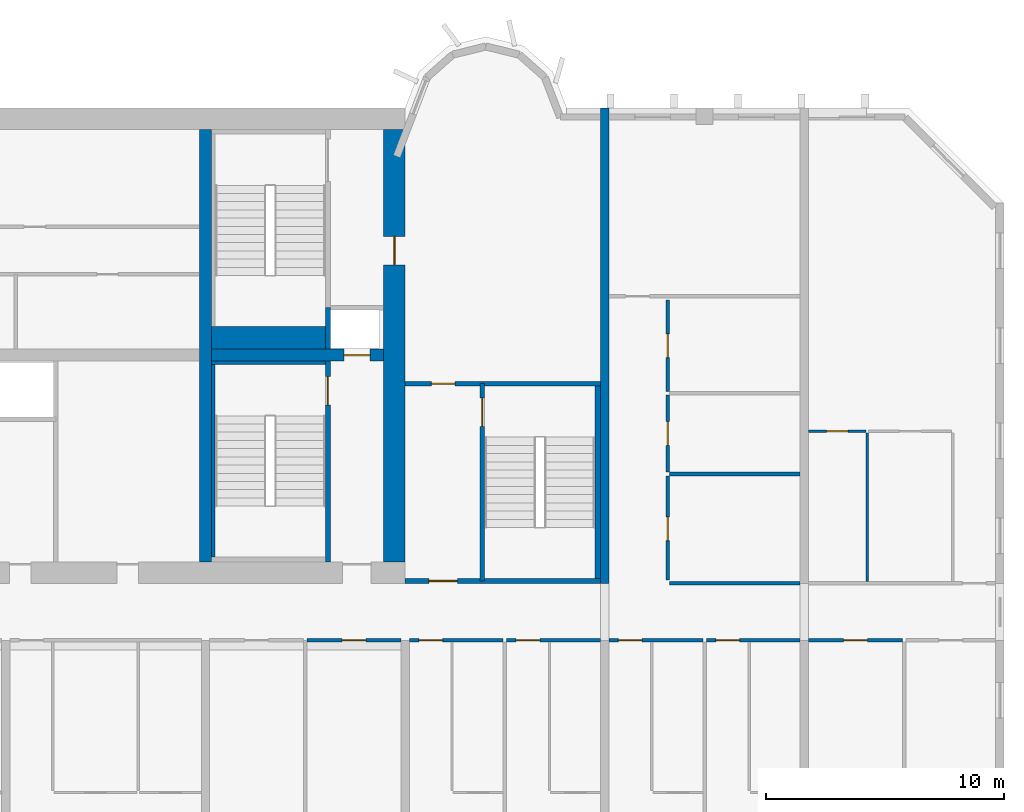
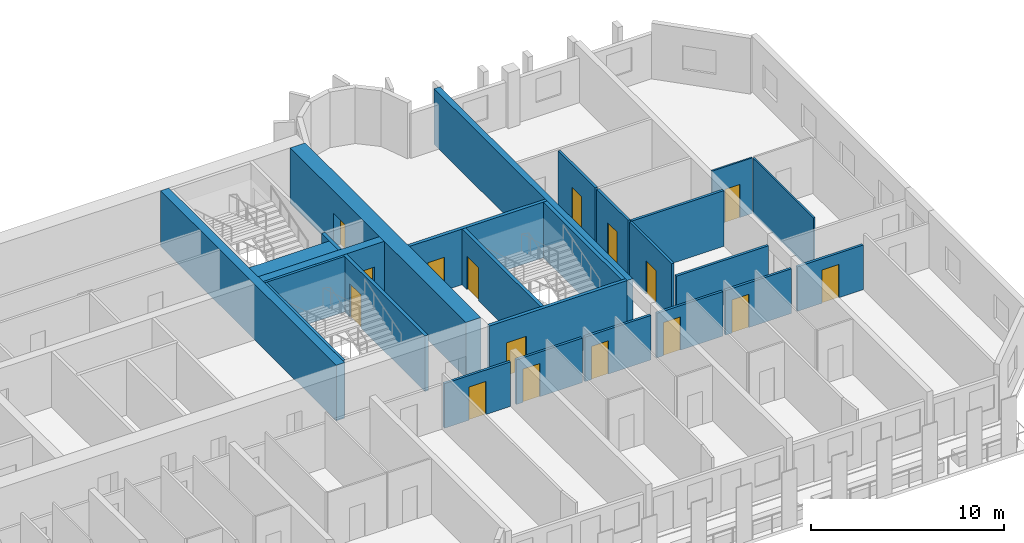
# One storey, part 9 of 14: 26 walls, 16 doors, 16 openings.
"""IFC4 building model written with IfcOpenShell, lengths in metres."""

from ifc_helpers import new_model, si_unit, direction, frame, frame_2d, origin, place, context, subcontext, project, spatial, rectangle, extrude, source, transform, mapped, material, layer, layer_set, type_object, element, fill, save


model = new_model("IFC4")

# Units and contexts
model_context = context("Model", 3, precision=1e-05, world=origin(), true_north=direction((0.0, 1.0)))
body_context = subcontext(model_context, "Body", "Model", "MODEL_VIEW")
ifc_project = project(units=[si_unit("LENGTHUNIT", "METRE"), si_unit("AREAUNIT", "SQUARE_METRE"), si_unit("VOLUMEUNIT", "CUBIC_METRE"), si_unit("PLANEANGLEUNIT", "RADIAN"), si_unit("MASSUNIT", "GRAM", prefix="KILO")], contexts=[model_context])

# Site, building, storey
site_placement = place(None, origin())
site = spatial("IfcSite", under=ifc_project, at=site_placement, CompositionType="ELEMENT")
building_placement = place(site_placement, origin())
building = spatial("IfcBuilding", under=site, at=building_placement, Name="Vanashikhar Sky Hotel", CompositionType="ELEMENT")
storey_placement = place(building_placement, frame((0.0, 0.0, 125.60009765625)))
storey = spatial("IfcBuildingStorey", under=building, at=storey_placement, Name="L30", CompositionType="ELEMENT", Elevation=125.60009765625)

# Wall, opening, door
ifc_material_1 = material(Name="Concrete M70", Category="concrete")
ifc_layer_1 = layer(ifc_material_1, 0.89990234375)
ifc_layer_set_1 = layer_set([ifc_layer_1], Name="RC core shell wall 900 Concrete M70")
wall_type_1 = type_object("IfcWallType", Name="RC core shell wall 900 Concrete M70", PredefinedType="SHEAR", material=ifc_layer_set_1)
shared_shape_1 = source(origin(), body_context, "Body", "SweptSolid", [
    extrude(rectangle(XDim=18.2001953125, YDim=0.89990234375, at=frame_2d((9.10009765625, 0.0))), origin(), (0.0, 0.0, 1.0), 3.52001953125),
])
wall_1_placement = place(storey_placement, frame((75.14990234375, 22.89990234375, 0.0), z_axis=(0.0, 0.0, 1.0), x_axis=(0.0, 1.0, 0.0)))
wall_1 = element("IfcWall", 1, at=wall_1_placement, inside=storey, type_object=wall_type_1, Name="KW-L30-KE", PredefinedType="SHEAR", context=body_context, shape_type="MappedRepresentation", body=[
    mapped(shared_shape_1, transform((0.0, 0.0, 0.0), scale=1.0)),
])
shared_shape_2 = source(origin(), body_context, "Body", "SweptSolid", [
    extrude(rectangle(XDim=1.199951171875, YDim=2.10009765625, at=frame_2d((0.60009765625, 1.050048828125))), frame((0.0, 0.4599609375, 0.0), z_axis=(0.0, -1.0, 0.0), x_axis=(1.0, 0.0, 0.0)), (0.0, 0.0, 1.0), 0.919921875),
])
opening_1_placement = place(wall_1_placement, frame((12.5, 0.0, 0.0)))
opening_1 = element("IfcOpeningElement", 2, at=opening_1_placement, cuts=wall_1, Name="Opening DC-4-D", PredefinedType="OPENING", context=body_context, shape_type="MappedRepresentation", body=[
    mapped(shared_shape_2, transform((0.0, 0.0, 0.0), scale=1.0)),
])
ifc_material_2 = material(Name="Steel", Category="steel")
door_type_1 = type_object("IfcDoorType", Name="Service door 1200 FD120", OperationType="NOTDEFINED", PredefinedType="DOOR", material=ifc_material_2)
shared_shape_3 = source(origin(), body_context, "Body", "SweptSolid", [
    extrude(rectangle(XDim=1.199951171875, YDim=2.10009765625, at=frame_2d((0.60009765625, 1.050048828125))), frame((0.0, 0.02490234375, 0.0), z_axis=(0.0, -1.0, 0.0), x_axis=(1.0, 0.0, 0.0)), (0.0, 0.0, 1.0), 0.050048828125),
])
door_1_placement = place(opening_1_placement, origin())
door_1 = element("IfcDoor", 3, at=door_1_placement, inside=storey, type_object=door_type_1, Name="Service door 1200 FD120", OperationType="SINGLE_SWING_LEFT", OverallHeight=2.10009765625, OverallWidth=1.199951171875, PredefinedType="DOOR", context=body_context, shape_type="MappedRepresentation", body=[
    mapped(shared_shape_3, transform((0.0, 0.0, 0.0), scale=1.0)),
])
fill(opening_1, door_1)

# Wall
ifc_layer_2 = layer(ifc_material_1, 0.5)
ifc_layer_set_2 = layer_set([ifc_layer_2], Name="RC core inner wall 500 Concrete M70")
wall_type_2 = type_object("IfcWallType", Name="RC core inner wall 500 Concrete M70", PredefinedType="SHEAR", material=ifc_layer_set_2)
shared_shape_4 = source(origin(), body_context, "Body", "SweptSolid", [
    extrude(rectangle(XDim=18.2001953125, YDim=0.5, at=frame_2d((9.10009765625, 0.0))), origin(), (0.0, 0.0, 1.0), 3.52001953125),
])
wall_2_placement = place(storey_placement, frame((67.199951171875, 22.89990234375, 0.0), z_axis=(0.0, 0.0, 1.0), x_axis=(0.0, 1.0, 0.0)))
element("IfcWall", 4, at=wall_2_placement, inside=storey, type_object=wall_type_2, Name="KW-L30-KX3", PredefinedType="SHEAR", context=body_context, shape_type="MappedRepresentation", body=[
    mapped(shared_shape_4, transform((0.0, 0.0, 0.0), scale=1.0)),
])

# Wall, opening, door
shared_shape_5 = source(origin(), body_context, "Body", "SweptSolid", [
    extrude(rectangle(XDim=7.25, YDim=0.5, at=frame_2d((3.625, 0.0))), origin(), (0.0, 0.0, 1.0), 3.52001953125),
])
wall_3_placement = place(storey_placement, frame((67.449951171875, 31.60009765625, 0.0), z_axis=(0.0, 0.0, 1.0), x_axis=(1.0, 0.0, 0.0)))
wall_3 = element("IfcWall", 5, at=wall_3_placement, inside=storey, type_object=wall_type_2, Name="KW-L30-KY4", PredefinedType="SHEAR", context=body_context, shape_type="MappedRepresentation", body=[
    mapped(shared_shape_5, transform((0.0, 0.0, 0.0), scale=1.0)),
])
shared_shape_6 = source(origin(), body_context, "Body", "SweptSolid", [
    extrude(rectangle(XDim=1.10009765625, YDim=2.10009765625, at=frame_2d((0.550048828125, 1.050048828125))), frame((0.0, 0.260009765625, 0.0), z_axis=(0.0, -1.0, 0.0), x_axis=(1.0, 0.0, 0.0)), (0.0, 0.0, 1.0), 0.52001953125),
])
opening_2_placement = place(wall_3_placement, frame((5.574951171875, 0.0, 0.0)))
opening_2 = element("IfcOpeningElement", 6, at=opening_2_placement, cuts=wall_3, Name="Opening LD", PredefinedType="OPENING", context=body_context, shape_type="MappedRepresentation", body=[
    mapped(shared_shape_6, transform((0.0, 0.0, 0.0), scale=1.0)),
])
ifc_material_3 = material(Name="Stainless steel", Category="steel")
door_type_2 = type_object("IfcDoorType", Name="Lift landing door 1100", OperationType="NOTDEFINED", PredefinedType="DOOR", material=ifc_material_3)
shared_shape_7 = source(origin(), body_context, "Body", "SweptSolid", [
    extrude(rectangle(XDim=1.10009765625, YDim=2.10009765625, at=frame_2d((0.550048828125, 1.050048828125))), frame((0.0, 0.02490234375, 0.0), z_axis=(0.0, -1.0, 0.0), x_axis=(1.0, 0.0, 0.0)), (0.0, 0.0, 1.0), 0.050048828125),
])
door_2_placement = place(opening_2_placement, origin())
door_2 = element("IfcDoor", 7, at=door_2_placement, inside=storey, type_object=door_type_2, Name="Lift landing door 1100", OperationType="SLIDING_TO_LEFT", OverallHeight=2.10009765625, OverallWidth=1.10009765625, PredefinedType="DOOR", context=body_context, shape_type="MappedRepresentation", body=[
    mapped(shared_shape_7, transform((0.0, 0.0, 0.0), scale=1.0)),
])
fill(opening_2, door_2)

# Wall
ifc_layer_3 = layer(ifc_material_1, 0.35009765625)
ifc_layer_set_3 = layer_set([ifc_layer_3], Name="RC shear wall 350 Concrete M70")
wall_type_3 = type_object("IfcWallType", Name="RC shear wall 350 Concrete M70", PredefinedType="SHEAR", material=ifc_layer_set_3)
shared_shape_8 = source(origin(), body_context, "Body", "SweptSolid", [
    extrude(rectangle(XDim=20.0, YDim=0.35009765625, at=frame_2d((10.0, 0.0))), origin(), (0.0, 0.0, 1.0), 3.52001953125),
])
wall_4_placement = place(storey_placement, frame((84.0, 22.0, 0.0), z_axis=(0.0, 0.0, 1.0), x_axis=(0.0, 1.0, 0.0)))
element("IfcWall", 8, at=wall_4_placement, inside=storey, type_object=wall_type_3, Name="CW-L30-XW11-2", PredefinedType="SHEAR", context=body_context, shape_type="MappedRepresentation", body=[
    mapped(shared_shape_8, transform((0.0, 0.0, 0.0), scale=1.0)),
])

# Wall, opening, door
ifc_material_4 = material(Name="Concrete M50", Category="concrete")
ifc_layer_4 = layer(ifc_material_4, 0.199951171875)
ifc_layer_set_4 = layer_set([ifc_layer_4], Name="Stair wall 200")
wall_type_4 = type_object("IfcWallType", Name="Stair wall 200", PredefinedType="SOLIDWALL", material=ifc_layer_set_4)
shared_shape_9 = source(origin(), body_context, "Body", "SweptSolid", [
    extrude(rectangle(XDim=8.2998046875, YDim=0.199951171875, at=frame_2d((4.14990234375, 0.0))), origin(), (0.0, 0.0, 1.0), 3.52001953125),
])
wall_5_placement = place(storey_placement, frame((78.85009765625, 22.10009765625, 0.0), z_axis=(0.0, 0.0, 1.0), x_axis=(0.0, 1.0, 0.0)))
wall_5 = element("IfcWall", 9, at=wall_5_placement, inside=storey, type_object=wall_type_4, Name="Stair wall 200", PredefinedType="SOLIDWALL", context=body_context, shape_type="MappedRepresentation", body=[
    mapped(shared_shape_9, transform((0.0, 0.0, 0.0), scale=1.0)),
])
shared_shape_10 = source(origin(), body_context, "Body", "SweptSolid", [
    extrude(rectangle(XDim=1.199951171875, YDim=2.10009765625, at=frame_2d((0.60009765625, 1.050048828125))), frame((0.0, 0.10986328125, 0.0), z_axis=(0.0, -1.0, 0.0), x_axis=(1.0, 0.0, 0.0)), (0.0, 0.0, 1.0), 0.219970703125),
])
opening_3_placement = place(wall_5_placement, frame((6.5, 0.0, 0.0)))
opening_3 = element("IfcOpeningElement", 10, at=opening_3_placement, cuts=wall_5, Name="Opening DC-1", PredefinedType="OPENING", context=body_context, shape_type="MappedRepresentation", body=[
    mapped(shared_shape_10, transform((0.0, 0.0, 0.0), scale=1.0)),
])
door_type_3 = type_object("IfcDoorType", Name="Stair door 1200 FD120", OperationType="NOTDEFINED", PredefinedType="DOOR", material=ifc_material_2)
door_3_placement = place(opening_3_placement, origin())
door_3 = element("IfcDoor", 11, at=door_3_placement, inside=storey, type_object=door_type_3, Name="Stair door 1200 FD120", OperationType="SINGLE_SWING_LEFT", OverallHeight=2.10009765625, OverallWidth=1.199951171875, PredefinedType="DOOR", context=body_context, shape_type="MappedRepresentation", body=[
    mapped(shared_shape_3, transform((0.0, 0.0, 0.0), scale=1.0)),
])
fill(opening_3, door_3)

shared_shape_11 = source(origin(), body_context, "Body", "SweptSolid", [
    extrude(rectangle(XDim=8.4501953125, YDim=0.199951171875, at=frame_2d((4.22509765625, 0.0))), origin(), (0.0, 0.0, 1.0), 3.52001953125),
])
wall_6_placement = place(storey_placement, frame((72.35009765625, 22.89990234375, 0.0), z_axis=(0.0, 0.0, 1.0), x_axis=(0.0, 1.0, 0.0)))
wall_6 = element("IfcWall", 12, at=wall_6_placement, inside=storey, type_object=wall_type_4, Name="Stair wall 200", PredefinedType="SOLIDWALL", context=body_context, shape_type="MappedRepresentation", body=[
    mapped(shared_shape_11, transform((0.0, 0.0, 0.0), scale=1.0)),
])
opening_4_placement = place(wall_6_placement, frame((6.60009765625, 0.0, 0.0)))
opening_4 = element("IfcOpeningElement", 13, at=opening_4_placement, cuts=wall_6, Name="Opening DC-1", PredefinedType="OPENING", context=body_context, shape_type="MappedRepresentation", body=[
    mapped(shared_shape_10, transform((0.0, 0.0, 0.0), scale=1.0)),
])
door_4_placement = place(opening_4_placement, origin())
door_4 = element("IfcDoor", 14, at=door_4_placement, inside=storey, type_object=door_type_3, Name="Stair door 1200 FD120", OperationType="SINGLE_SWING_RIGHT", OverallHeight=2.10009765625, OverallWidth=1.199951171875, PredefinedType="DOOR", context=body_context, shape_type="MappedRepresentation", body=[
    mapped(shared_shape_3, transform((0.0, 0.0, 0.0), scale=1.0)),
])
fill(opening_4, door_4)

# Wall
ifc_material_5 = material(Name="Concrete M40", Category="concrete")
ifc_layer_5 = layer(ifc_material_5, 0.199951171875)
ifc_layer_set_5 = layer_set([ifc_layer_5], Name="Shaft wall 200")
wall_type_5 = type_object("IfcWallType", Name="Shaft wall 200", PredefinedType="SOLIDWALL", material=ifc_layer_set_5)
shared_shape_12 = source(origin(), body_context, "Body", "SweptSolid", [
    extrude(rectangle(XDim=1.75, YDim=0.199951171875, at=frame_2d((0.875, 0.0))), origin(), (0.0, 0.0, 1.0), 3.52001953125),
])
wall_7_placement = place(storey_placement, frame((72.35009765625, 31.85009765625, 0.0), z_axis=(0.0, 0.0, 1.0), x_axis=(0.0, 1.0, 0.0)))
element("IfcWall", 15, at=wall_7_placement, inside=storey, type_object=wall_type_5, Name="Shaft wall 200", PredefinedType="SOLIDWALL", context=body_context, shape_type="MappedRepresentation", body=[
    mapped(shared_shape_12, transform((0.0, 0.0, 0.0), scale=1.0)),
])

# Wall, opening, door
shared_shape_13 = source(origin(), body_context, "Body", "SweptSolid", [
    extrude(rectangle(XDim=8.224853515625, YDim=0.199951171875, at=frame_2d((4.1123046875, 0.0))), origin(), (0.0, 0.0, 1.0), 3.52001953125),
])
wall_8_placement = place(storey_placement, frame((83.824951171875, 22.10009765625, 0.0), z_axis=(0.0, 0.0, 1.0), x_axis=(-1.0, 0.0, 0.0)))
wall_8 = element("IfcWall", 16, at=wall_8_placement, inside=storey, type_object=wall_type_4, Name="Stair wall 200", PredefinedType="SOLIDWALL", context=body_context, shape_type="MappedRepresentation", body=[
    mapped(shared_shape_13, transform((0.0, 0.0, 0.0), scale=1.0)),
])
opening_5_placement = place(wall_8_placement, frame((6.02490234375, 0.0, 0.0)))
opening_5 = element("IfcOpeningElement", 17, at=opening_5_placement, cuts=wall_8, Name="Opening DC-2", PredefinedType="OPENING", context=body_context, shape_type="MappedRepresentation", body=[
    mapped(shared_shape_10, transform((0.0, 0.0, 0.0), scale=1.0)),
])
door_type_4 = type_object("IfcDoorType", Name="Firefighting lobby door 1200 FD120", OperationType="NOTDEFINED", PredefinedType="DOOR", material=ifc_material_2)
door_5_placement = place(opening_5_placement, origin())
door_5 = element("IfcDoor", 18, at=door_5_placement, inside=storey, type_object=door_type_4, Name="Firefighting lobby door 1200 FD120", OperationType="SINGLE_SWING_LEFT", OverallHeight=2.10009765625, OverallWidth=1.199951171875, PredefinedType="DOOR", context=body_context, shape_type="MappedRepresentation", body=[
    mapped(shared_shape_3, transform((0.0, 0.0, 0.0), scale=1.0)),
])
fill(opening_5, door_5)

wall_9_placement = place(storey_placement, frame((83.824951171875, 30.39990234375, 0.0), z_axis=(0.0, 0.0, 1.0), x_axis=(-1.0, 0.0, 0.0)))
wall_9 = element("IfcWall", 19, at=wall_9_placement, inside=storey, type_object=wall_type_4, Name="Stair wall 200", PredefinedType="SOLIDWALL", context=body_context, shape_type="MappedRepresentation", body=[
    mapped(shared_shape_13, transform((0.0, 0.0, 0.0), scale=1.0)),
])
shared_shape_14 = source(origin(), body_context, "Body", "SweptSolid", [
    extrude(rectangle(XDim=1.0, YDim=2.10009765625, at=frame_2d((0.5, 1.050048828125))), frame((0.0, 0.10986328125, 0.0), z_axis=(0.0, -1.0, 0.0), x_axis=(1.0, 0.0, 0.0)), (0.0, 0.0, 1.0), 0.219970703125),
])
opening_6_placement = place(wall_9_placement, frame((6.125, 0.0, 0.0)))
opening_6 = element("IfcOpeningElement", 20, at=opening_6_placement, cuts=wall_9, Name="Opening DC-6", PredefinedType="OPENING", context=body_context, shape_type="MappedRepresentation", body=[
    mapped(shared_shape_14, transform((0.0, 0.0, 0.0), scale=1.0)),
])
door_type_5 = type_object("IfcDoorType", Name="Pocket door 1000 FD60", OperationType="NOTDEFINED", PredefinedType="DOOR", material=ifc_material_2)
shared_shape_15 = source(origin(), body_context, "Body", "SweptSolid", [
    extrude(rectangle(XDim=1.0, YDim=2.10009765625, at=frame_2d((0.5, 1.050048828125))), frame((0.0, 0.02490234375, 0.0), z_axis=(0.0, -1.0, 0.0), x_axis=(1.0, 0.0, 0.0)), (0.0, 0.0, 1.0), 0.050048828125),
])
door_6_placement = place(opening_6_placement, origin())
door_6 = element("IfcDoor", 21, at=door_6_placement, inside=storey, type_object=door_type_5, Name="Pocket door 1000 FD60", OperationType="SINGLE_SWING_LEFT", OverallHeight=2.10009765625, OverallWidth=1.0, PredefinedType="DOOR", context=body_context, shape_type="MappedRepresentation", body=[
    mapped(shared_shape_15, transform((0.0, 0.0, 0.0), scale=1.0)),
])
fill(opening_6, door_6)

# Walls
ifc_layer_6 = layer(ifc_material_4, 0.14990234375)
ifc_layer_set_6 = layer_set([ifc_layer_6], Name="Stair infill wall 150")
wall_type_6 = type_object("IfcWallType", Name="Stair infill wall 150", PredefinedType="SOLIDWALL", material=ifc_layer_set_6)
shared_shape_16 = source(origin(), body_context, "Body", "SweptSolid", [
    extrude(rectangle(XDim=4.800048828125, YDim=0.14990234375, at=frame_2d((2.39990234375, 0.0))), origin(), (0.0, 0.0, 1.0), 3.52001953125),
])
wall_10_placement = place(storey_placement, frame((67.449951171875, 31.27490234375, 0.0), z_axis=(0.0, 0.0, 1.0), x_axis=(1.0, 0.0, 0.0)))
element("IfcWall", 22, at=wall_10_placement, inside=storey, type_object=wall_type_6, Name="Stair infill wall 150", PredefinedType="SOLIDWALL", context=body_context, shape_type="MappedRepresentation", body=[
    mapped(shared_shape_16, transform((0.0, 0.0, 0.0), scale=1.0)),
])
shared_shape_17 = source(origin(), body_context, "Body", "SweptSolid", [
    extrude(rectangle(XDim=8.099853515625, YDim=0.14990234375, at=frame_2d((4.0498046875, 0.0))), origin(), (0.0, 0.0, 1.0), 3.52001953125),
])
wall_11_placement = place(storey_placement, frame((67.52490234375, 23.10009765625, 0.0), z_axis=(0.0, 0.0, 1.0), x_axis=(0.0, 1.0, 0.0)))
element("IfcWall", 23, at=wall_11_placement, inside=storey, type_object=wall_type_6, Name="Stair infill wall 150", PredefinedType="SOLIDWALL", context=body_context, shape_type="MappedRepresentation", body=[
    mapped(shared_shape_17, transform((0.0, 0.0, 0.0), scale=1.0)),
])
ifc_layer_7 = layer(ifc_material_4, 0.22509765625)
ifc_layer_set_7 = layer_set([ifc_layer_7], Name="Stair infill wall 225")
wall_type_7 = type_object("IfcWallType", Name="Stair infill wall 225", PredefinedType="SOLIDWALL", material=ifc_layer_set_7)
shared_shape_18 = source(origin(), body_context, "Body", "SweptSolid", [
    extrude(rectangle(XDim=8.10009765625, YDim=0.22509765625, at=frame_2d((4.050048828125, 0.0))), origin(), (0.0, 0.0, 1.0), 3.52001953125),
])
wall_12_placement = place(storey_placement, frame((83.712890625, 22.199951171875, 0.0), z_axis=(0.0, 0.0, 1.0), x_axis=(0.0, 1.0, 0.0)))
element("IfcWall", 24, at=wall_12_placement, inside=storey, type_object=wall_type_7, Name="Stair infill wall 225", PredefinedType="SOLIDWALL", context=body_context, shape_type="MappedRepresentation", body=[
    mapped(shared_shape_18, transform((0.0, 0.0, 0.0), scale=1.0)),
])
ifc_layer_8 = layer(ifc_material_4, 0.949951171875)
ifc_layer_set_8 = layer_set([ifc_layer_8], Name="Stair infill wall 950")
wall_type_8 = type_object("IfcWallType", Name="Stair infill wall 950", PredefinedType="SOLIDWALL", material=ifc_layer_set_8)
shared_shape_19 = source(origin(), body_context, "Body", "SweptSolid", [
    extrude(rectangle(XDim=4.800048828125, YDim=0.949951171875, at=frame_2d((2.39990234375, 0.0))), origin(), (0.0, 0.0, 1.0), 3.52001953125),
])
wall_13_placement = place(storey_placement, frame((67.449951171875, 32.324951171875, 0.0), z_axis=(0.0, 0.0, 1.0), x_axis=(1.0, 0.0, 0.0)))
element("IfcWall", 25, at=wall_13_placement, inside=storey, type_object=wall_type_8, Name="Stair infill wall 950", PredefinedType="SOLIDWALL", context=body_context, shape_type="MappedRepresentation", body=[
    mapped(shared_shape_19, transform((0.0, 0.0, 0.0), scale=1.0)),
])

# Wall, opening, door
ifc_material_6 = material(Name="Gypsum plasterboard partition")
ifc_layer_9 = layer(ifc_material_6, 0.14990234375)
ifc_layer_set_9 = layer_set([ifc_layer_9], Name="Corridor and demising partition 150")
wall_type_9 = type_object("IfcWallType", Name="Corridor and demising partition 150", PredefinedType="PARTITIONING", material=ifc_layer_set_9)
shared_shape_20 = source(origin(), body_context, "Body", "SweptSolid", [
    extrude(rectangle(XDim=4.375, YDim=0.14990234375, at=frame_2d((2.1875, 0.0))), origin(), (0.0, 0.0, 1.0), 3.52001953125),
])
wall_14_placement = place(storey_placement, frame((86.64990234375, 22.14990234375, 0.0), z_axis=(0.0, 0.0, 1.0), x_axis=(0.0, 1.0, 0.0)))
wall_14 = element("IfcWall", 26, at=wall_14_placement, inside=storey, type_object=wall_type_9, Name="W-L30-PW084", PredefinedType="PARTITIONING", context=body_context, shape_type="MappedRepresentation", body=[
    mapped(shared_shape_20, transform((0.0, 0.0, 0.0), scale=1.0)),
])
shared_shape_21 = source(origin(), body_context, "Body", "SweptSolid", [
    extrude(rectangle(XDim=1.0, YDim=2.10009765625, at=frame_2d((0.5, 1.050048828125))), frame((0.0, 0.0849609375, 0.0), z_axis=(0.0, -1.0, 0.0), x_axis=(1.0, 0.0, 0.0)), (0.0, 0.0, 1.0), 0.169921875),
])
opening_7_placement = place(wall_14_placement, frame((1.64990234375, 0.0, 0.0)))
opening_7 = element("IfcOpeningElement", 27, at=opening_7_placement, cuts=wall_14, Name="Opening D-01", PredefinedType="OPENING", context=body_context, shape_type="MappedRepresentation", body=[
    mapped(shared_shape_21, transform((0.0, 0.0, 0.0), scale=1.0)),
])
ifc_material_7 = material(Name="Timber fire door", Category="wood")
door_type_6 = type_object("IfcDoorType", Name="Guest entry door 1000 FD30S", OperationType="NOTDEFINED", PredefinedType="DOOR", material=ifc_material_7)
door_7_placement = place(opening_7_placement, origin())
door_7 = element("IfcDoor", 28, at=door_7_placement, inside=storey, type_object=door_type_6, Name="D-L30-048", OperationType="SINGLE_SWING_LEFT", OverallHeight=2.10009765625, OverallWidth=1.0, PredefinedType="DOOR", context=body_context, shape_type="MappedRepresentation", body=[
    mapped(shared_shape_15, transform((0.0, 0.0, 0.0), scale=1.0)),
])
fill(opening_7, door_7)

shared_shape_22 = source(origin(), body_context, "Body", "SweptSolid", [
    extrude(rectangle(XDim=3.25, YDim=0.14990234375, at=frame_2d((1.625, 0.0))), origin(), (0.0, 0.0, 1.0), 3.52001953125),
])
wall_15_placement = place(storey_placement, frame((86.64990234375, 26.675048828125, 0.0), z_axis=(0.0, 0.0, 1.0), x_axis=(0.0, 1.0, 0.0)))
wall_15 = element("IfcWall", 29, at=wall_15_placement, inside=storey, type_object=wall_type_9, Name="W-L30-PW086", PredefinedType="PARTITIONING", context=body_context, shape_type="MappedRepresentation", body=[
    mapped(shared_shape_22, transform((0.0, 0.0, 0.0), scale=1.0)),
])
opening_8_placement = place(wall_15_placement, frame((1.125, 0.0, 0.0)))
opening_8 = element("IfcOpeningElement", 30, at=opening_8_placement, cuts=wall_15, Name="Opening D-01", PredefinedType="OPENING", context=body_context, shape_type="MappedRepresentation", body=[
    mapped(shared_shape_21, transform((0.0, 0.0, 0.0), scale=1.0)),
])
door_8_placement = place(opening_8_placement, origin())
door_8 = element("IfcDoor", 31, at=door_8_placement, inside=storey, type_object=door_type_6, Name="D-L30-049", OperationType="SINGLE_SWING_LEFT", OverallHeight=2.10009765625, OverallWidth=1.0, PredefinedType="DOOR", context=body_context, shape_type="MappedRepresentation", body=[
    mapped(shared_shape_15, transform((0.0, 0.0, 0.0), scale=1.0)),
])
fill(opening_8, door_8)

shared_shape_23 = source(origin(), body_context, "Body", "SweptSolid", [
    extrude(rectangle(XDim=3.85009765625, YDim=0.14990234375, at=frame_2d((1.925048828125, 0.0))), origin(), (0.0, 0.0, 1.0), 3.52001953125),
])
wall_16_placement = place(storey_placement, frame((86.64990234375, 30.074951171875, 0.0), z_axis=(0.0, 0.0, 1.0), x_axis=(0.0, 1.0, 0.0)))
wall_16 = element("IfcWall", 32, at=wall_16_placement, inside=storey, type_object=wall_type_9, Name="W-L30-PW088", PredefinedType="PARTITIONING", context=body_context, shape_type="MappedRepresentation", body=[
    mapped(shared_shape_23, transform((0.0, 0.0, 0.0), scale=1.0)),
])
opening_9_placement = place(wall_16_placement, frame((1.425048828125, 0.0, 0.0)))
opening_9 = element("IfcOpeningElement", 33, at=opening_9_placement, cuts=wall_16, Name="Opening D-01", PredefinedType="OPENING", context=body_context, shape_type="MappedRepresentation", body=[
    mapped(shared_shape_21, transform((0.0, 0.0, 0.0), scale=1.0)),
])
door_9_placement = place(opening_9_placement, origin())
door_9 = element("IfcDoor", 34, at=door_9_placement, inside=storey, type_object=door_type_6, Name="D-L30-050", OperationType="SINGLE_SWING_LEFT", OverallHeight=2.10009765625, OverallWidth=1.0, PredefinedType="DOOR", context=body_context, shape_type="MappedRepresentation", body=[
    mapped(shared_shape_15, transform((0.0, 0.0, 0.0), scale=1.0)),
])
fill(opening_9, door_9)

# Walls
ifc_layer_10 = layer(ifc_material_6, 0.10009765625)
ifc_layer_set_10 = layer_set([ifc_layer_10], Name="Wet room partition 100")
wall_type_10 = type_object("IfcWallType", Name="Wet room partition 100", PredefinedType="PARTITIONING", material=ifc_layer_set_10)
shared_shape_24 = source(origin(), body_context, "Body", "SweptSolid", [
    extrude(rectangle(XDim=6.25, YDim=0.10009765625, at=frame_2d((3.125, 0.0))), origin(), (0.0, 0.0, 1.0), 3.52001953125),
])
wall_17_placement = place(storey_placement, frame((95.050048828125, 22.074951171875, 0.0), z_axis=(0.0, 0.0, 1.0), x_axis=(0.0, 1.0, 0.0)))
element("IfcWall", 35, at=wall_17_placement, inside=storey, type_object=wall_type_10, Name="W-L30-PW091", PredefinedType="PARTITIONING", context=body_context, shape_type="MappedRepresentation", body=[
    mapped(shared_shape_24, transform((0.0, 0.0, 0.0), scale=1.0)),
])
shared_shape_25 = source(origin(), body_context, "Body", "SweptSolid", [
    extrude(rectangle(XDim=5.5, YDim=0.14990234375, at=frame_2d((2.75, 0.0))), origin(), (0.0, 0.0, 1.0), 3.52001953125),
])
wall_18_placement = place(storey_placement, frame((86.72509765625, 26.60009765625, 0.0), z_axis=(0.0, 0.0, 1.0), x_axis=(1.0, 0.0, 0.0)))
element("IfcWall", 36, at=wall_18_placement, inside=storey, type_object=wall_type_9, Name="W-L30-PW085", PredefinedType="PARTITIONING", context=body_context, shape_type="MappedRepresentation", body=[
    mapped(shared_shape_25, transform((0.0, 0.0, 0.0), scale=1.0)),
])

# Wall, opening, door
shared_shape_26 = source(origin(), body_context, "Body", "SweptSolid", [
    extrude(rectangle(XDim=3.9501953125, YDim=0.14990234375, at=frame_2d((1.97509765625, 0.0))), origin(), (0.0, 0.0, 1.0), 2.81982421875),
])
wall_19_placement = place(storey_placement, frame((75.77490234375, 19.60009765625, 0.0), z_axis=(0.0, 0.0, 1.0), x_axis=(1.0, 0.0, 0.0)))
wall_19 = element("IfcWall", 37, at=wall_19_placement, inside=storey, type_object=wall_type_9, Name="W-L30-PW054", PredefinedType="PARTITIONING", context=body_context, shape_type="MappedRepresentation", body=[
    mapped(shared_shape_26, transform((0.0, 0.0, 0.0), scale=1.0)),
])
opening_10_placement = place(wall_19_placement, frame((0.39990234375, 0.0, 0.0)))
opening_10 = element("IfcOpeningElement", 38, at=opening_10_placement, cuts=wall_19, Name="Opening D-01", PredefinedType="OPENING", context=body_context, shape_type="MappedRepresentation", body=[
    mapped(shared_shape_21, transform((0.0, 0.0, 0.0), scale=1.0)),
])
door_10_placement = place(opening_10_placement, origin())
door_10 = element("IfcDoor", 39, at=door_10_placement, inside=storey, type_object=door_type_6, Name="D-L30-032", OperationType="SINGLE_SWING_LEFT", OverallHeight=2.10009765625, OverallWidth=1.0, PredefinedType="DOOR", context=body_context, shape_type="MappedRepresentation", body=[
    mapped(shared_shape_15, transform((0.0, 0.0, 0.0), scale=1.0)),
])
fill(opening_10, door_10)

wall_20_placement = place(storey_placement, frame((88.27490234375, 19.60009765625, 0.0), z_axis=(0.0, 0.0, 1.0), x_axis=(1.0, 0.0, 0.0)))
wall_20 = element("IfcWall", 40, at=wall_20_placement, inside=storey, type_object=wall_type_9, Name="W-L30-PW064", PredefinedType="PARTITIONING", context=body_context, shape_type="MappedRepresentation", body=[
    mapped(shared_shape_26, transform((0.0, 0.0, 0.0), scale=1.0)),
])
opening_11_placement = place(wall_20_placement, frame((0.39990234375, 0.0, 0.0)))
opening_11 = element("IfcOpeningElement", 41, at=opening_11_placement, cuts=wall_20, Name="Opening D-01", PredefinedType="OPENING", context=body_context, shape_type="MappedRepresentation", body=[
    mapped(shared_shape_21, transform((0.0, 0.0, 0.0), scale=1.0)),
])
door_11_placement = place(opening_11_placement, origin())
door_11 = element("IfcDoor", 42, at=door_11_placement, inside=storey, type_object=door_type_6, Name="D-L30-038", OperationType="SINGLE_SWING_LEFT", OverallHeight=2.10009765625, OverallWidth=1.0, PredefinedType="DOOR", context=body_context, shape_type="MappedRepresentation", body=[
    mapped(shared_shape_15, transform((0.0, 0.0, 0.0), scale=1.0)),
])
fill(opening_11, door_11)

shared_shape_27 = source(origin(), body_context, "Body", "SweptSolid", [
    extrude(rectangle(XDim=3.949951171875, YDim=0.14990234375, at=frame_2d((1.97509765625, 0.0))), origin(), (0.0, 0.0, 1.0), 2.81982421875),
])
wall_21_placement = place(storey_placement, frame((71.47509765625, 19.60009765625, 0.0), z_axis=(0.0, 0.0, 1.0), x_axis=(1.0, 0.0, 0.0)))
wall_21 = element("IfcWall", 43, at=wall_21_placement, inside=storey, type_object=wall_type_9, Name="W-L30-PW050", PredefinedType="PARTITIONING", context=body_context, shape_type="MappedRepresentation", body=[
    mapped(shared_shape_27, transform((0.0, 0.0, 0.0), scale=1.0)),
])
opening_12_placement = place(wall_21_placement, frame((1.47509765625, 0.0, 0.0)))
opening_12 = element("IfcOpeningElement", 44, at=opening_12_placement, cuts=wall_21, Name="Opening D-01", PredefinedType="OPENING", context=body_context, shape_type="MappedRepresentation", body=[
    mapped(shared_shape_21, transform((0.0, 0.0, 0.0), scale=1.0)),
])
door_12_placement = place(opening_12_placement, origin())
door_12 = element("IfcDoor", 45, at=door_12_placement, inside=storey, type_object=door_type_6, Name="D-L30-030", OperationType="SINGLE_SWING_RIGHT", OverallHeight=2.10009765625, OverallWidth=1.0, PredefinedType="DOOR", context=body_context, shape_type="MappedRepresentation", body=[
    mapped(shared_shape_15, transform((0.0, 0.0, 0.0), scale=1.0)),
])
fill(opening_12, door_12)

wall_22_placement = place(storey_placement, frame((79.875, 19.60009765625, 0.0), z_axis=(0.0, 0.0, 1.0), x_axis=(1.0, 0.0, 0.0)))
wall_22 = element("IfcWall", 46, at=wall_22_placement, inside=storey, type_object=wall_type_9, Name="W-L30-PW057", PredefinedType="PARTITIONING", context=body_context, shape_type="MappedRepresentation", body=[
    mapped(shared_shape_27, transform((0.0, 0.0, 0.0), scale=1.0)),
])
opening_13_placement = place(wall_22_placement, frame((0.39990234375, 0.0, 0.0)))
opening_13 = element("IfcOpeningElement", 47, at=opening_13_placement, cuts=wall_22, Name="Opening D-01", PredefinedType="OPENING", context=body_context, shape_type="MappedRepresentation", body=[
    mapped(shared_shape_21, transform((0.0, 0.0, 0.0), scale=1.0)),
])
door_13_placement = place(opening_13_placement, origin())
door_13 = element("IfcDoor", 48, at=door_13_placement, inside=storey, type_object=door_type_6, Name="D-L30-034", OperationType="SINGLE_SWING_LEFT", OverallHeight=2.10009765625, OverallWidth=1.0, PredefinedType="DOOR", context=body_context, shape_type="MappedRepresentation", body=[
    mapped(shared_shape_15, transform((0.0, 0.0, 0.0), scale=1.0)),
])
fill(opening_13, door_13)

wall_23_placement = place(storey_placement, frame((84.175048828125, 19.60009765625, 0.0), z_axis=(0.0, 0.0, 1.0), x_axis=(1.0, 0.0, 0.0)))
wall_23 = element("IfcWall", 49, at=wall_23_placement, inside=storey, type_object=wall_type_9, Name="W-L30-PW061", PredefinedType="PARTITIONING", context=body_context, shape_type="MappedRepresentation", body=[
    mapped(shared_shape_27, transform((0.0, 0.0, 0.0), scale=1.0)),
])
opening_14_placement = place(wall_23_placement, frame((0.39990234375, 0.0, 0.0)))
opening_14 = element("IfcOpeningElement", 50, at=opening_14_placement, cuts=wall_23, Name="Opening D-01", PredefinedType="OPENING", context=body_context, shape_type="MappedRepresentation", body=[
    mapped(shared_shape_21, transform((0.0, 0.0, 0.0), scale=1.0)),
])
door_14_placement = place(opening_14_placement, origin())
door_14 = element("IfcDoor", 51, at=door_14_placement, inside=storey, type_object=door_type_6, Name="D-L30-036", OperationType="SINGLE_SWING_LEFT", OverallHeight=2.10009765625, OverallWidth=1.0, PredefinedType="DOOR", context=body_context, shape_type="MappedRepresentation", body=[
    mapped(shared_shape_15, transform((0.0, 0.0, 0.0), scale=1.0)),
])
fill(opening_14, door_14)

wall_24_placement = place(storey_placement, frame((92.574951171875, 19.60009765625, 0.0), z_axis=(0.0, 0.0, 1.0), x_axis=(1.0, 0.0, 0.0)))
wall_24 = element("IfcWall", 52, at=wall_24_placement, inside=storey, type_object=wall_type_9, Name="W-L30-PW066", PredefinedType="PARTITIONING", context=body_context, shape_type="MappedRepresentation", body=[
    mapped(shared_shape_27, transform((0.0, 0.0, 0.0), scale=1.0)),
])
opening_15_placement = place(wall_24_placement, frame((1.47509765625, 0.0, 0.0)))
opening_15 = element("IfcOpeningElement", 53, at=opening_15_placement, cuts=wall_24, Name="Opening D-01", PredefinedType="OPENING", context=body_context, shape_type="MappedRepresentation", body=[
    mapped(shared_shape_21, transform((0.0, 0.0, 0.0), scale=1.0)),
])
door_15_placement = place(opening_15_placement, origin())
door_15 = element("IfcDoor", 54, at=door_15_placement, inside=storey, type_object=door_type_6, Name="D-L30-039", OperationType="SINGLE_SWING_LEFT", OverallHeight=2.10009765625, OverallWidth=1.0, PredefinedType="DOOR", context=body_context, shape_type="MappedRepresentation", body=[
    mapped(shared_shape_15, transform((0.0, 0.0, 0.0), scale=1.0)),
])
fill(opening_15, door_15)

shared_shape_28 = source(origin(), body_context, "Body", "SweptSolid", [
    extrude(rectangle(XDim=2.425048828125, YDim=0.10009765625, at=frame_2d((1.21240234375, 0.0))), origin(), (0.0, 0.0, 1.0), 3.52001953125),
])
wall_25_placement = place(storey_placement, frame((92.574951171875, 28.39990234375, 0.0), z_axis=(0.0, 0.0, 1.0), x_axis=(1.0, 0.0, 0.0)))
wall_25 = element("IfcWall", 55, at=wall_25_placement, inside=storey, type_object=wall_type_10, Name="W-L30-PW093", PredefinedType="PARTITIONING", context=body_context, shape_type="MappedRepresentation", body=[
    mapped(shared_shape_28, transform((0.0, 0.0, 0.0), scale=1.0)),
])
shared_shape_29 = source(origin(), body_context, "Body", "SweptSolid", [
    extrude(rectangle(XDim=0.89990234375, YDim=2.10009765625, at=frame_2d((0.449951171875, 1.050048828125))), frame((0.0, 0.06005859375, 0.0), z_axis=(0.0, -1.0, 0.0), x_axis=(1.0, 0.0, 0.0)), (0.0, 0.0, 1.0), 0.1201171875),
])
opening_16_placement = place(wall_25_placement, frame((0.762939453125, 0.0, 0.0)))
opening_16 = element("IfcOpeningElement", 56, at=opening_16_placement, cuts=wall_25, Name="Opening D-02", PredefinedType="OPENING", context=body_context, shape_type="MappedRepresentation", body=[
    mapped(shared_shape_29, transform((0.0, 0.0, 0.0), scale=1.0)),
])
ifc_material_8 = material(Name="Timber door", Category="wood")
door_type_7 = type_object("IfcDoorType", Name="Internal door 900", OperationType="NOTDEFINED", PredefinedType="DOOR", material=ifc_material_8)
shared_shape_30 = source(origin(), body_context, "Body", "SweptSolid", [
    extrude(rectangle(XDim=0.89990234375, YDim=2.10009765625, at=frame_2d((0.449951171875, 1.050048828125))), frame((0.0, 0.02490234375, 0.0), z_axis=(0.0, -1.0, 0.0), x_axis=(1.0, 0.0, 0.0)), (0.0, 0.0, 1.0), 0.050048828125),
])
door_16_placement = place(opening_16_placement, origin())
door_16 = element("IfcDoor", 57, at=door_16_placement, inside=storey, type_object=door_type_7, Name="D-L30-053", OperationType="SINGLE_SWING_RIGHT", OverallHeight=2.10009765625, OverallWidth=0.89990234375, PredefinedType="DOOR", context=body_context, shape_type="MappedRepresentation", body=[
    mapped(shared_shape_30, transform((0.0, 0.0, 0.0), scale=1.0)),
])
fill(opening_16, door_16)

# Wall
shared_shape_31 = source(origin(), body_context, "Body", "SweptSolid", [
    extrude(rectangle(XDim=5.5, YDim=0.14990234375, at=frame_2d((2.75, 0.0))), origin(), (0.0, 0.0, 1.0), 2.81982421875),
])
wall_26_placement = place(storey_placement, frame((86.72509765625, 22.0, 0.0), z_axis=(0.0, 0.0, 1.0), x_axis=(1.0, 0.0, 0.0)))
element("IfcWall", 58, at=wall_26_placement, inside=storey, type_object=wall_type_9, Name="W-L30-PW083", PredefinedType="PARTITIONING", context=body_context, shape_type="MappedRepresentation", body=[
    mapped(shared_shape_31, transform((0.0, 0.0, 0.0), scale=1.0)),
])

save(model, "model.ifc")
